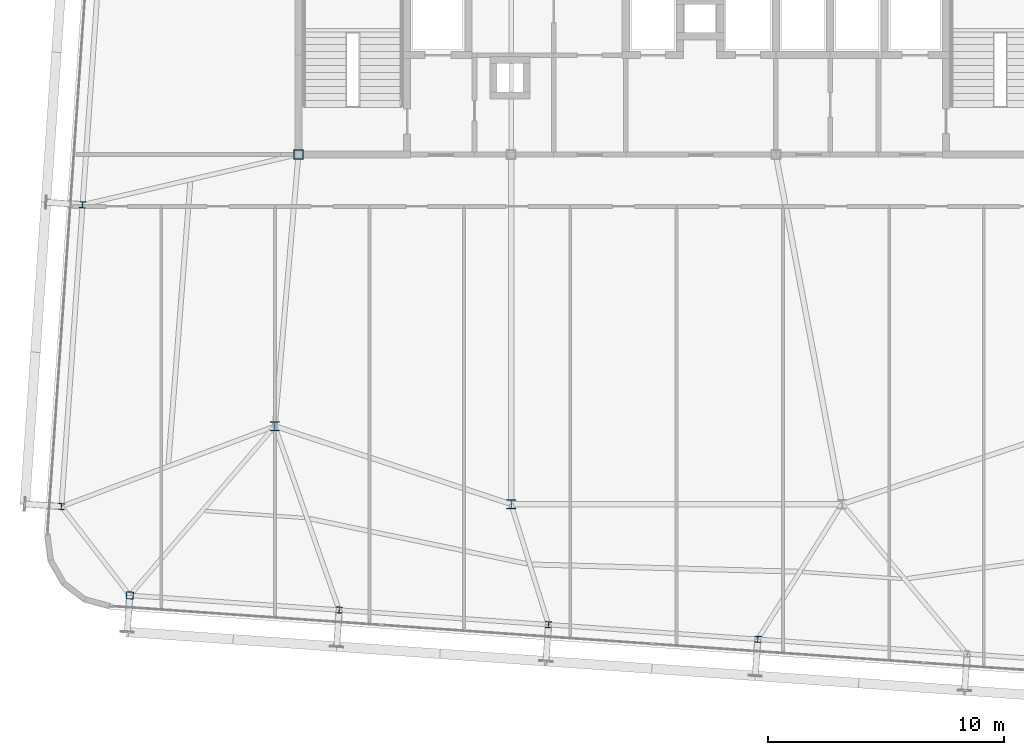
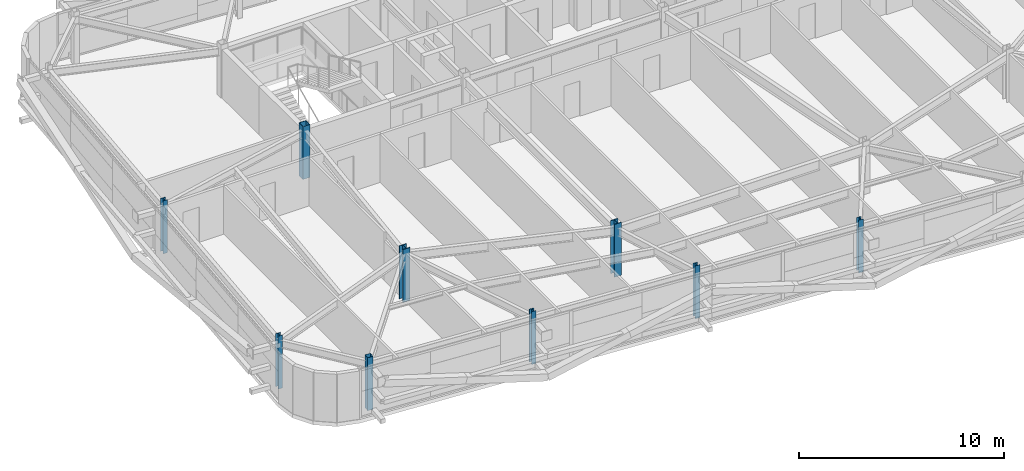
# One storey, part 1 of 39: 9 columns.
"""IFC4 building model written with IfcOpenShell, lengths in metres."""

from ifc_helpers import new_model, si_unit, direction, frame, origin, origin_2d, place, context, subcontext, project, spatial, hollow_rectangle, i_section, extrude, source, transform, mapped, material, material_profile, profile_set, type_object, element, save


model = new_model("IFC4")

# Units and contexts
model_context = context("Model", 3, precision=1e-05, world=origin(), true_north=direction((0.0, 1.0)))
body_context = subcontext(model_context, "Body", "Model", "MODEL_VIEW")
ifc_project = project(units=[si_unit("LENGTHUNIT", "METRE"), si_unit("AREAUNIT", "SQUARE_METRE"), si_unit("VOLUMEUNIT", "CUBIC_METRE"), si_unit("PLANEANGLEUNIT", "RADIAN"), si_unit("MASSUNIT", "GRAM", prefix="KILO")], contexts=[model_context])

# Site, building, storey
site_placement = place(None, origin())
site = spatial("IfcSite", under=ifc_project, at=site_placement, CompositionType="ELEMENT")
building_placement = place(site_placement, origin())
building = spatial("IfcBuilding", under=site, at=building_placement, Name="Taldren Reach Tower", CompositionType="ELEMENT")
storey_placement = place(building_placement, frame((0.0, 0.0, 161.35009765625)))
storey = spatial("IfcBuildingStorey", under=building, at=storey_placement, Name="L49", CompositionType="ELEMENT", Elevation=161.35009765625)

# Columns
ifc_material_1 = material(Name="Steel Gr 350 (350PLUS)", Category="steel")
ifc_material_profile_1 = material_profile(ifc_material_1, i_section(OverallWidth=0.39990234375, OverallDepth=0.39599609375, WebThickness=0.02197265625, FlangeThickness=0.033935546875, at=origin_2d()), Name="400WC270")
ifc_profile_set_1 = profile_set([ifc_material_profile_1], Name="Steel Gr 350 (350PLUS)")
column_type_1 = type_object("IfcColumnType", Name="COL-WC400", PredefinedType="COLUMN", material=ifc_profile_set_1)
shared_shape_1 = source(origin(), body_context, "Body", "SweptSolid", [
    extrude(i_section(OverallWidth=0.39990234375, OverallDepth=0.39599609375, WebThickness=0.02197265625, FlangeThickness=0.033935546875, at=origin_2d()), origin(), (0.0, 0.0, 1.0), 3.14990234375),
])
for number, where, z_axis, x_axis, name in (
    (1, (28.0, 9.199951171875, 0.0), (0.0, 0.0, 1.0), (1.0, 0.0, 0.0), "Mega column MC-PJW L49"),
    (2, (18.0, 12.5, 0.0), (0.0, 0.0, 1.0), (1.0, 0.0, 0.0), "Mega column MC-SW L49"),
):
    element("IfcColumn", number, at=place(storey_placement, frame(where, z_axis=z_axis, x_axis=x_axis)), inside=storey, type_object=column_type_1, Name=name, PredefinedType="COLUMN", context=body_context, shape_type="MappedRepresentation", body=[
        mapped(shared_shape_1, transform((0.0, 0.0, 0.0), scale=1.0)),
    ])
ifc_material_2 = material(Name="Steel Gr 450 (C450L0)", Category="steel")
ifc_material_profile_2 = material_profile(ifc_material_2, hollow_rectangle(XDim=0.39990234375, YDim=0.39990234375, WallThickness=0.01611328125, at=origin_2d()), Name="400x400x16.0SHS")
ifc_profile_set_2 = profile_set([ifc_material_profile_2], Name="Steel Gr 450 (C450L0)")
column_type_2 = type_object("IfcColumnType", Name="COL-SHS400", PredefinedType="COLUMN", material=ifc_profile_set_2)
shared_shape_2 = source(origin(), body_context, "Body", "SweptSolid", [
    extrude(hollow_rectangle(XDim=0.39990234375, YDim=0.39990234375, WallThickness=0.01611328125, at=origin_2d()), origin(), (0.0, 0.0, 1.0), 3.14990234375),
])
column_1_placement = place(storey_placement, frame((19.0, 24.0, 0.0), z_axis=(0.0, 0.0, 1.0), x_axis=(1.0, 0.0, 0.0)))
element("IfcColumn", 3, at=column_1_placement, inside=storey, type_object=column_type_2, Name="Mega column MC-C1 L49", PredefinedType="COLUMN", context=body_context, shape_type="MappedRepresentation", body=[
    mapped(shared_shape_2, transform((0.0, 0.0, 0.0), scale=1.0)),
])
ifc_material_profile_3 = material_profile(ifc_material_2, hollow_rectangle(XDim=0.300048828125, YDim=0.300048828125, WallThickness=0.012451171875, at=origin_2d()), Name="300x300x12.5SHS")
ifc_profile_set_3 = profile_set([ifc_material_profile_3], Name="Steel Gr 450 (C450L0)")
column_type_3 = type_object("IfcColumnType", Name="COL-SHS300", PredefinedType="COLUMN", material=ifc_profile_set_3)
shared_shape_3 = source(origin(), body_context, "Body", "SweptSolid", [
    extrude(hollow_rectangle(XDim=0.300048828125, YDim=0.300048828125, WallThickness=0.012451171875, at=origin_2d()), origin(), (0.0, 0.0, 1.0), 3.14990234375),
])
column_2_placement = place(storey_placement, frame((11.863525390625, 5.33837890625, 0.0), z_axis=(0.0, 0.0, 1.0), x_axis=(0.99756405026, -0.069756473744, 0.0)))
element("IfcColumn", 4, at=column_2_placement, inside=storey, type_object=column_type_3, Name="Block B3 perimeter column S1 L49", PredefinedType="COLUMN", context=body_context, shape_type="MappedRepresentation", body=[
    mapped(shared_shape_3, transform((0.0, 0.0, 0.0), scale=1.0)),
])
ifc_material_profile_4 = material_profile(ifc_material_1, i_section(OverallWidth=0.256103515625, OverallDepth=0.260009765625, WebThickness=0.010498046875, FlangeThickness=0.017333984375, at=origin_2d()), Name="250UC89.5")
ifc_profile_set_4 = profile_set([ifc_material_profile_4], Name="Steel Gr 350 (350PLUS)")
column_type_4 = type_object("IfcColumnType", Name="COL-UC250", PredefinedType="COLUMN", material=ifc_profile_set_4)
shared_shape_4 = source(origin(), body_context, "Body", "SweptSolid", [
    extrude(i_section(OverallWidth=0.256103515625, OverallDepth=0.260009765625, WebThickness=0.010498046875, FlangeThickness=0.017333984375, at=origin_2d()), origin(), (0.0, 0.0, 1.0), 3.14990234375),
])
for number, where, z_axis, x_axis, name in (
    (5, (20.721923828125, 4.718994140625, 0.0), (0.0, 0.0, 1.0), (0.99756405026, -0.069756473744, 0.0), "Block B3 perimeter column S2 L49"),
    (6, (29.580322265625, 4.099609375, 0.0), (0.0, 0.0, 1.0), (0.99756405026, -0.069756473744, 0.0), "Block B3 perimeter column S3 L49"),
    (7, (38.438720703125, 3.480224609375, 0.0), (0.0, 0.0, 1.0), (0.99756405026, -0.069756473744, 0.0), "Block B3 perimeter column S4 L49"),
    (8, (8.96875, 9.099609375, 0.0), (0.0, 0.0, 1.0), (0.99756405026, -0.069756473744, 0.0), "Block B3 perimeter column W1 L49"),
    (9, (9.86181640625, 21.868408203125, 0.0), (0.0, 0.0, 1.0), (0.99756405026, -0.069756473744, 0.0), "Block B3 perimeter column W2 L49"),
):
    element("IfcColumn", number, at=place(storey_placement, frame(where, z_axis=z_axis, x_axis=x_axis)), inside=storey, type_object=column_type_4, Name=name, PredefinedType="COLUMN", context=body_context, shape_type="MappedRepresentation", body=[
        mapped(shared_shape_4, transform((0.0, 0.0, 0.0), scale=1.0)),
    ])

save(model, "model.ifc")
